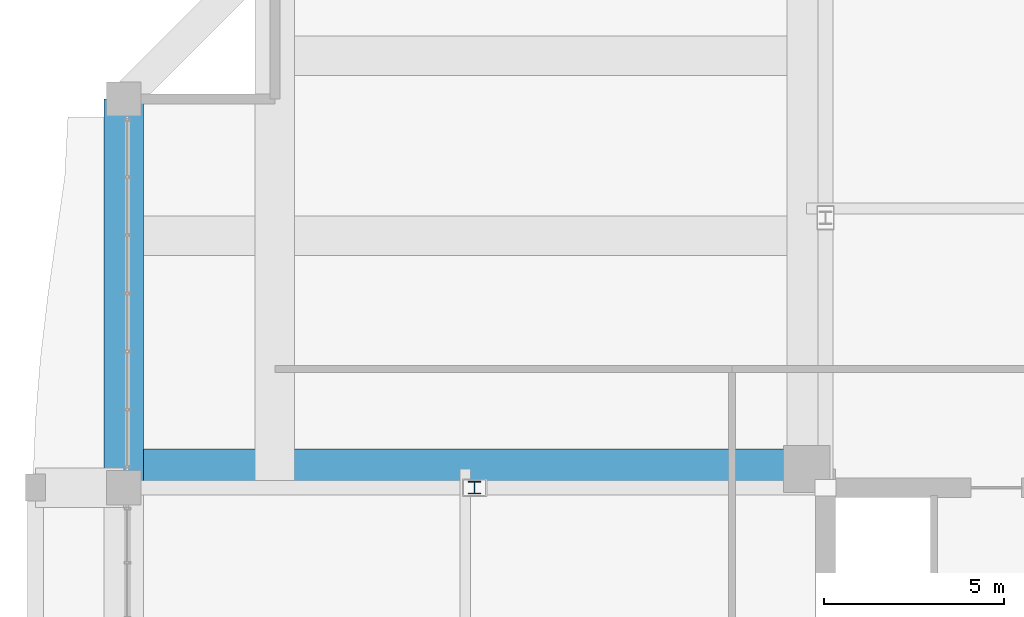
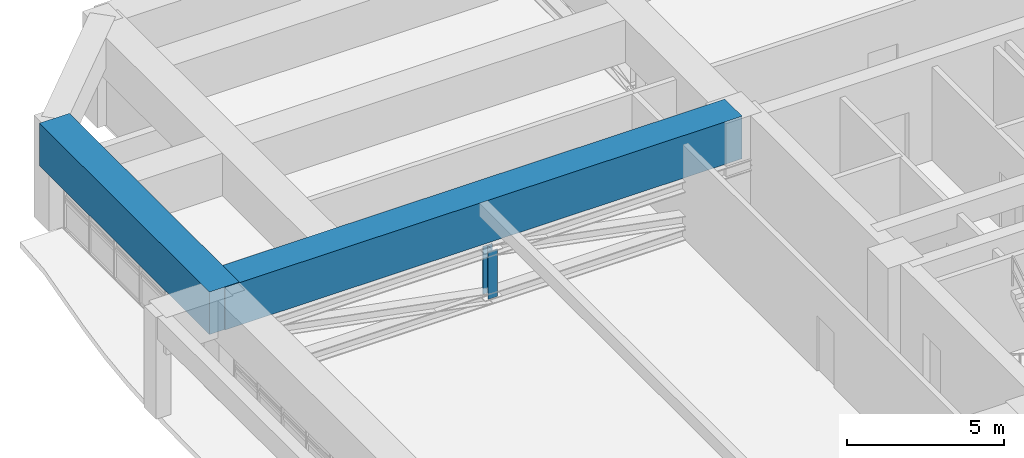
# One storey, part 20 of 35: 2 beams, 1 member.
"""IFC4 building model written with IfcOpenShell, lengths in metres."""

import ifcopenshell
import ifcopenshell.guid

model = None  # the IFC model being written
_history = None  # IfcOwnerHistory: only IFC2X3 demands one
_inside = {}  # id of a spatial element -> (the spatial element, [elements in it])
_under = {}  # id of a project, library or spatial element -> (it, [spatial elements below it])
_declared = {}  # id of a project -> (the project, [libraries it declares])
_typed = {}  # id of a type object -> (the type object, [elements of that type])
_made_of = {}  # id of a material, layer set ... -> (it, [elements and type objects made of it])


def new_model(schema):
    """Start an empty IFC model of exactly this schema.

    Asked for "IFC4X3", IfcOpenShell would pick the latest addendum, in which some entities
    have other attributes; the version numbers below select the first issue.
    IFC2X3 requires an IfcOwnerHistory on every rooted entity: one is made here for all.
    """
    global model, _history
    if schema == "IFC4X3":
        model = ifcopenshell.file(schema_version=(4, 3, 0, 0))
    else:
        model = ifcopenshell.file(schema=schema)
    _inside.clear()
    _under.clear()
    _declared.clear()
    _typed.clear()
    _made_of.clear()
    _history = None
    if model.schema == "IFC2X3":
        org = make("IfcOrganization", Name="unknown")
        user = make(
            "IfcPersonAndOrganization",
            ThePerson=make("IfcPerson", FamilyName="unknown"),
            TheOrganization=org,
        )
        app = make(
            "IfcApplication",
            ApplicationDeveloper=org,
            Version="unknown",
            ApplicationFullName="unknown",
            ApplicationIdentifier="unknown",
        )
        _history = make(
            "IfcOwnerHistory",
            OwningUser=user,
            OwningApplication=app,
            ChangeAction="ADDED",
            CreationDate=0,
        )
    return model


def make(cls, **values):
    """One entity of the class cls with the attributes given. An attribute that is None is left unset."""
    return model.create_entity(
        cls, **{name: value for name, value in values.items() if value is not None}
    )


def rooted(cls, **values):
    """An entity with a GlobalId (a new one), such as an element, a storey or a relation."""
    return make(cls, GlobalId=ifcopenshell.guid.new(), OwnerHistory=_history, **values)


def si_unit(unit_type, name, prefix=None):
    """IfcSIUnit, for example si_unit("LENGTHUNIT", "METRE", prefix="MILLI")."""
    return make("IfcSIUnit", UnitType=unit_type, Prefix=prefix, Name=name)


def assignment(units):
    """IfcUnitAssignment: the units of a project."""
    return None if units is None else make("IfcUnitAssignment", Units=units)


def point(xyz):
    """IfcCartesianPoint."""
    return None if xyz is None else make("IfcCartesianPoint", Coordinates=xyz)


def direction(xyz):
    """IfcDirection."""
    return None if xyz is None else make("IfcDirection", DirectionRatios=xyz)


def frame(location, z_axis=None, x_axis=None):
    """IfcAxis2Placement3D, a coordinate frame: its origin and axes. An axis left out is left unset."""
    return make(
        "IfcAxis2Placement3D",
        Location=point(location),
        Axis=direction(z_axis),
        RefDirection=direction(x_axis),
    )


def frame_2d(location, x_axis=None):
    """IfcAxis2Placement2D, a coordinate frame in the plane: its origin and x axis."""
    return make(
        "IfcAxis2Placement2D", Location=point(location), RefDirection=direction(x_axis)
    )


def origin():
    """The frame at (0, 0, 0) with its axes left unset."""
    return frame((0.0, 0.0, 0.0))


def origin_2d():
    """The frame at (0, 0) in the plane with its x axis left unset."""
    return frame_2d((0.0, 0.0))


def place(relative_to, where):
    """IfcLocalPlacement: puts the frame where relative to a parent placement (None: the world)."""
    return make(
        "IfcLocalPlacement", PlacementRelTo=relative_to, RelativePlacement=where
    )


def context(
    kind, dimensions, precision=None, world=None, true_north=None, identifier=None
):
    """IfcGeometricRepresentationContext, for example the 3D "Model" context."""
    return make(
        "IfcGeometricRepresentationContext",
        ContextIdentifier=identifier,
        ContextType=kind,
        CoordinateSpaceDimension=dimensions,
        Precision=precision,
        WorldCoordinateSystem=world,
        TrueNorth=true_north,
    )


def subcontext(parent, identifier, kind, view, scale=None):
    """IfcGeometricRepresentationSubContext, for example "Body" below "Model"."""
    return make(
        "IfcGeometricRepresentationSubContext",
        ContextIdentifier=identifier,
        ContextType=kind,
        ParentContext=parent,
        TargetScale=scale,
        TargetView=view,
    )


def project(units=None, contexts=None):
    """IfcProject with its units and contexts."""
    return rooted(
        "IfcProject",
        Name="project",
        RepresentationContexts=contexts,
        UnitsInContext=assignment(units),
    )


def spatial(cls, under=None, at=None, **own):
    """A site, building, storey or space (cls), placed at a placement, below another one or the project."""
    s = rooted(cls, ObjectPlacement=at, **own)
    if under is not None:
        _under.setdefault(under.id(), (under, []))[1].append(s)
    return s


def profile(cls, at=None, kind="AREA", **sizes):
    """A parametric profile (cls). Its sizes go by their IFC names, for example OverallWidth=200.0."""
    return make(cls, ProfileType=kind, Position=at, **sizes)


def rectangle(**sizes):
    """IfcRectangleProfileDef."""
    return profile("IfcRectangleProfileDef", **sizes)


def i_section(**sizes):
    """IfcIShapeProfileDef."""
    return profile("IfcIShapeProfileDef", **sizes)


def extrude(swept, where, along, depth):
    """IfcExtrudedAreaSolid: the profile swept, set in the frame where, extruded along a direction by depth."""
    return make(
        "IfcExtrudedAreaSolid",
        SweptArea=swept,
        Position=where,
        ExtrudedDirection=direction(along),
        Depth=depth,
    )


def shape(context_of_items, identifier, shape_type, items):
    """IfcShapeRepresentation: the items that make up one representation, for example the "Body"."""
    return make(
        "IfcShapeRepresentation",
        ContextOfItems=context_of_items,
        RepresentationIdentifier=identifier,
        RepresentationType=shape_type,
        Items=items,
    )


def source(mapping_origin, context_of_items, identifier, shape_type, items):
    """IfcRepresentationMap: a shape defined once, which mapped items show again and again."""
    return make(
        "IfcRepresentationMap",
        MappingOrigin=mapping_origin,
        MappedRepresentation=shape(context_of_items, identifier, shape_type, items),
    )


def transform(
    local_origin,
    x_axis=None,
    y_axis=None,
    z_axis=None,
    scale=None,
    scale2=None,
    scale3=None,
    uniform=True,
):
    """IfcCartesianTransformationOperator3D, or its non-uniform kind. x_axis, y_axis, z_axis: its Axis1, 2, 3."""
    if uniform:
        return make(
            "IfcCartesianTransformationOperator3D",
            Axis1=direction(x_axis),
            Axis2=direction(y_axis),
            LocalOrigin=point(local_origin),
            Scale=scale,
            Axis3=direction(z_axis),
        )
    return make(
        "IfcCartesianTransformationOperator3DnonUniform",
        Axis1=direction(x_axis),
        Axis2=direction(y_axis),
        LocalOrigin=point(local_origin),
        Scale=scale,
        Axis3=direction(z_axis),
        Scale2=scale2,
        Scale3=scale3,
    )


def mapped(mapping_source, mapping_target):
    """IfcMappedItem: shows the shape of a source again, moved by a transform."""
    return make(
        "IfcMappedItem", MappingSource=mapping_source, MappingTarget=mapping_target
    )


def material(Name=None, Category=None):
    """IfcMaterial."""
    return make("IfcMaterial", Name=Name, Category=Category)


def material_profile(
    of_material, cross_section, Name=None, Category=None, Priority=None
):
    """IfcMaterialProfile: a cross section and its material."""
    return make(
        "IfcMaterialProfile",
        Name=Name,
        Material=of_material,
        Profile=cross_section,
        Priority=Priority,
        Category=Category,
    )


def profile_set(profiles, Name=None, composite=None):
    """IfcMaterialProfileSet."""
    return make(
        "IfcMaterialProfileSet",
        Name=Name,
        MaterialProfiles=profiles,
        CompositeProfile=composite,
    )


def made_of(thing, what):
    """Note that an element or type object is made of a material, layer set ...; save() writes the relation."""
    if what is not None:
        _made_of.setdefault(what.id(), (what, []))[1].append(thing)
    return thing


def type_object(cls, material=None, **own):
    """A type object (cls), such as IfcWallType, which elements share."""
    return made_of(rooted(cls, **own), material)


def element(
    cls,
    number,
    at=None,
    inside=None,
    cuts=None,
    type_object=None,
    material=None,
    context=None,
    identifier="Body",
    shape_type=None,
    held_by="IfcProductDefinitionShape",
    body=None,
    shapes=None,
    **own,
):
    """One element of the class cls, such as IfcWall. Its Tag is "e" and its number.

    at: its placement. inside: the storey or other place that contains it. cuts: it is an
    opening in that element (IfcRelVoidsElement). A single representation is given by context,
    identifier, shape_type and body (its items); several are given by shapes. held_by: the class
    of the entity that holds the representations. save() writes the other relations.
    """
    e = rooted(cls, Tag="e%d" % number, ObjectPlacement=at, **own)
    if body is not None:
        shapes = [shape(context, identifier, shape_type, body)]
    if shapes is not None:
        e.Representation = make(held_by, Representations=shapes)
    if inside is not None:
        _inside.setdefault(inside.id(), (inside, []))[1].append(e)
    if cuts is not None:
        rooted(
            "IfcRelVoidsElement", RelatingBuildingElement=cuts, RelatedOpeningElement=e
        )
    if type_object is not None:
        _typed.setdefault(type_object.id(), (type_object, []))[1].append(e)
    return made_of(e, material)


def aggregate(whole, parts):
    """IfcRelAggregates: a whole, such as a stair, and the parts it consists of."""
    return rooted("IfcRelAggregates", RelatingObject=whole, RelatedObjects=parts)


def save(model, path):
    """Write the relations noted so far, then the file.

    IfcRelAggregates (storeys below a building ...), IfcRelContainedInSpatialStructure (elements
    in a storey), IfcRelDefinesByType, IfcRelAssociatesMaterial and IfcRelDeclares: one each for
    every whole, place, type object, material and project.
    """
    for whole, parts in _under.values():
        aggregate(whole, parts)
    for where, things in _inside.values():
        rooted(
            "IfcRelContainedInSpatialStructure",
            RelatedElements=things,
            RelatingStructure=where,
        )
    for kind, things in _typed.values():
        rooted("IfcRelDefinesByType", RelatedObjects=things, RelatingType=kind)
    for what, things in _made_of.values():
        rooted("IfcRelAssociatesMaterial", RelatedObjects=things, RelatingMaterial=what)
    for by, libraries in _declared.values():
        rooted("IfcRelDeclares", RelatingContext=by, RelatedDefinitions=libraries)
    model.write(path)


model = new_model("IFC4")

# Units and contexts
model_context = context("Model", 3, precision=1e-05, world=origin(), true_north=direction((0.0, 1.0)))
body_context = subcontext(model_context, "Body", "Model", "MODEL_VIEW")
ifc_project = project(units=[si_unit("LENGTHUNIT", "METRE"), si_unit("AREAUNIT", "SQUARE_METRE"), si_unit("VOLUMEUNIT", "CUBIC_METRE"), si_unit("PLANEANGLEUNIT", "RADIAN"), si_unit("MASSUNIT", "GRAM", prefix="KILO")], contexts=[model_context])

# Site, building, storey
site_placement = place(None, origin())
site = spatial("IfcSite", under=ifc_project, at=site_placement, CompositionType="ELEMENT")
building_placement = place(site_placement, origin())
building = spatial("IfcBuilding", under=site, at=building_placement, Name="Saelheon Loggia Tower", CompositionType="ELEMENT")
storey_placement = place(building_placement, frame((0.0, 0.0, 144.75)))
storey = spatial("IfcBuildingStorey", under=building, at=storey_placement, Name="L46", CompositionType="ELEMENT", Elevation=144.75)

# Beams
ifc_material_1 = material(Name="Concrete C50/60", Category="concrete")
ifc_material_profile_1 = material_profile(ifc_material_1, rectangle(XDim=1.10009765625, YDim=1.64990234375, at=origin_2d()), Name="RC-1100x1650")
ifc_profile_set_1 = profile_set([ifc_material_profile_1], Name="Concrete C50/60")
beam_type_1 = type_object("IfcBeamType", Name="Beam_MegaTransfer_RC1100x1650", PredefinedType="BEAM", material=ifc_profile_set_1)
shared_shape_1 = source(origin(), body_context, "Body", "SweptSolid", [
    extrude(rectangle(XDim=1.10009765625, YDim=1.64990234375, at=origin_2d()), origin(), (0.0, 0.0, 1.0), 18.97998046875),
])
beam_1_placement = place(storey_placement, frame((30.97998046875, 36.52001953125, 3.125), z_axis=(-1.0, 0.0, 0.0), x_axis=(0.0, -1.0, 0.0)))
element("IfcBeam", 1, at=beam_1_placement, inside=storey, type_object=beam_type_1, Name="L46 Radial Floor Girder RAD-NW-W", PredefinedType="BEAM", context=body_context, shape_type="MappedRepresentation", body=[
    mapped(shared_shape_1, transform((0.0, 0.0, 0.0), scale=1.0)),
])
ifc_material_profile_2 = material_profile(ifc_material_1, rectangle(XDim=1.10009765625, YDim=1.64990234375, at=origin_2d()), Name="RC-1100x1650")
ifc_profile_set_2 = profile_set([ifc_material_profile_2], Name="Concrete C50/60")
beam_type_2 = type_object("IfcBeamType", Name="Beam_PerimMega_RC1100x1650", PredefinedType="BEAM", material=ifc_profile_set_2)
shared_shape_2 = source(origin(), body_context, "Body", "SweptSolid", [
    extrude(rectangle(XDim=1.10009765625, YDim=1.64990234375, at=origin_2d()), origin(), (0.0, 0.0, 1.0), 10.800048828125),
])
beam_2_placement = place(storey_placement, frame((12.0, 46.800048828125, 3.125), z_axis=(0.0, -1.0, 0.0), x_axis=(1.0, 0.0, 0.0)))
element("IfcBeam", 2, at=beam_2_placement, inside=storey, type_object=beam_type_2, Name="L46 Perimeter Frame Girder 13", PredefinedType="BEAM", context=body_context, shape_type="MappedRepresentation", body=[
    mapped(shared_shape_2, transform((0.0, 0.0, 0.0), scale=1.0)),
])

# Member
ifc_material_2 = material(Name="Steel SM355", Category="steel")
ifc_material_profile_3 = material_profile(ifc_material_2, i_section(OverallWidth=0.35009765625, OverallDepth=0.35009765625, WebThickness=0.011962890625, FlangeThickness=0.01904296875, at=origin_2d()), Name="H-350x350x12x19")
ifc_profile_set_3 = profile_set([ifc_material_profile_3], Name="Steel SM355")
member_type = type_object("IfcMemberType", Name="Outrigger_Post_H350", PredefinedType="POST", material=ifc_profile_set_3)
shared_shape_3 = source(origin(), body_context, "Body", "SweptSolid", [
    extrude(i_section(OverallWidth=0.35009765625, OverallDepth=0.35009765625, WebThickness=0.011962890625, FlangeThickness=0.01904296875, at=origin_2d()), origin(), (0.0, 0.0, 1.0), 1.85009765625),
])
member_placement = place(storey_placement, frame((21.75, 36.0, 0.219970703125), z_axis=(0.0, 0.0, 1.0), x_axis=(1.0, 0.0, 0.0)))
element("IfcMember", 3, at=member_placement, inside=storey, type_object=member_type, Name="L46 Outrigger Web Post NW-W", PredefinedType="POST", context=body_context, shape_type="MappedRepresentation", body=[
    mapped(shared_shape_3, transform((0.0, 0.0, 0.0), scale=1.0)),
])

save(model, "model.ifc")
